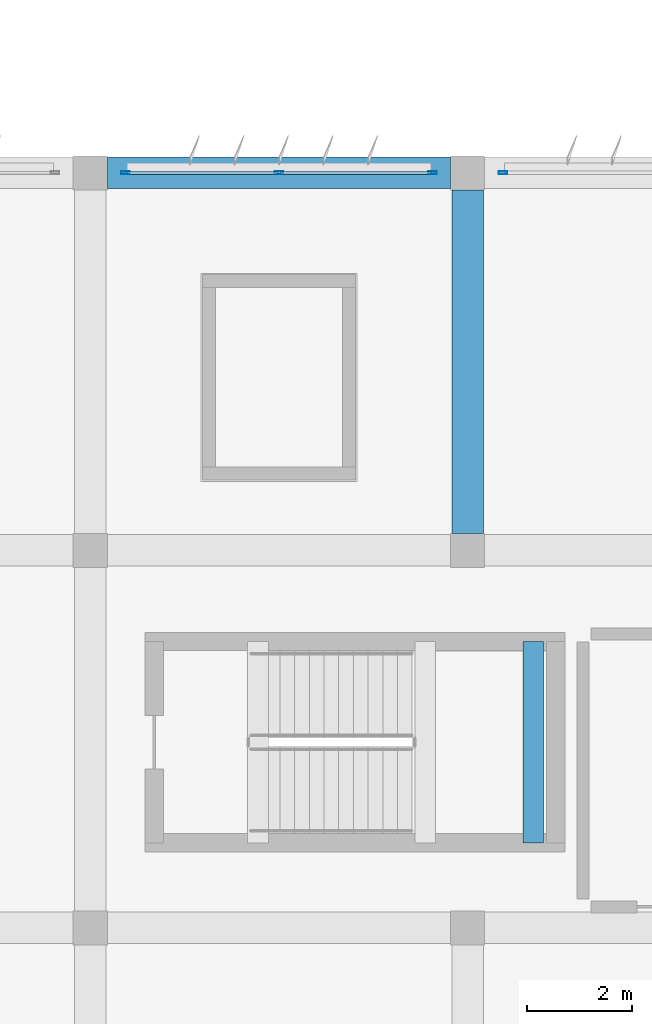
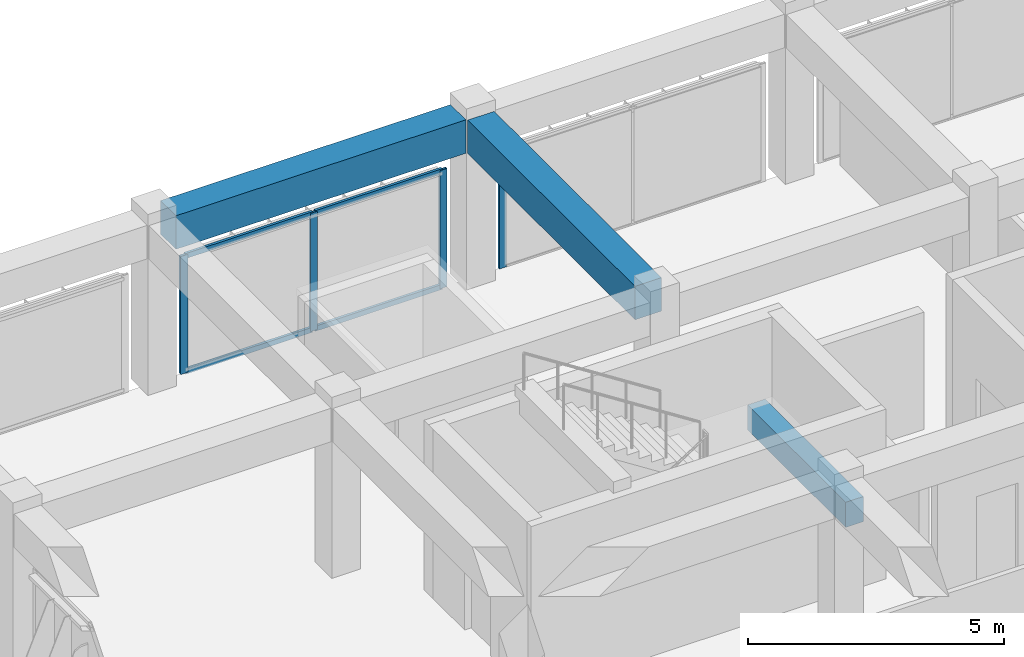
# One storey, part 13 of 53: 8 members, 3 beams, 2 elements without a shape of their own.
"""IFC4 building model written with IfcOpenShell, lengths in metres."""

from ifc_helpers import new_model, si_unit, direction, frame, origin, origin_2d, place, context, subcontext, project, spatial, rectangle, hollow_rectangle, extrude, material, material_profile, profile_set, type_object, element, aggregate, save


model = new_model("IFC4")

# Units and contexts
model_context = context("Model", 3, precision=1e-05, world=origin(), true_north=direction((0.0, 1.0)))
body_context = subcontext(model_context, "Body", "Model", "MODEL_VIEW")
ifc_project = project(units=[si_unit("LENGTHUNIT", "METRE"), si_unit("AREAUNIT", "SQUARE_METRE"), si_unit("VOLUMEUNIT", "CUBIC_METRE"), si_unit("PLANEANGLEUNIT", "RADIAN"), si_unit("MASSUNIT", "GRAM", prefix="KILO")], contexts=[model_context])

# Site, building, storey
site_placement = place(None, origin())
site = spatial("IfcSite", under=ifc_project, at=site_placement, CompositionType="ELEMENT")
building_placement = place(site_placement, origin())
building = spatial("IfcBuilding", under=site, at=building_placement, Name="Kazehaya Institute of Natural Sciences", CompositionType="ELEMENT")
storey_placement = place(building_placement, frame((0.0, 0.0, 33.300048828125)))
storey = spatial("IfcBuildingStorey", under=building, at=storey_placement, Name="L07", CompositionType="ELEMENT", Elevation=33.300048828125)

# Beams
ifc_material_1 = material(Name="Concrete Fc36", Category="concrete")
ifc_material_profile_1 = material_profile(ifc_material_1, rectangle(XDim=0.39990234375, YDim=0.60009765625, at=origin_2d()), Name="RC-400x600")
ifc_profile_set_1 = profile_set([ifc_material_profile_1], Name="Concrete Fc36")
beam_type_1 = type_object("IfcBeamType", Name="BM-B-400x600", PredefinedType="BEAM", material=ifc_profile_set_1)
beam_1_placement = place(storey_placement, frame((70.25, 22.820068359375, 1.699951171875), z_axis=(0.0, 1.0, 0.0), x_axis=(-1.0, 0.0, 0.0)))
element("IfcBeam", 1, at=beam_1_placement, inside=storey, type_object=beam_type_1, Name="L07 ST-1 landing beam 2", PredefinedType="BEAM", context=body_context, shape_type="SweptSolid", body=[
    extrude(rectangle(XDim=0.39990234375, YDim=0.60009765625, at=origin_2d()), origin(), (0.0, 0.0, 1.0), 3.83984375),
])
ifc_material_profile_2 = material_profile(ifc_material_1, rectangle(XDim=0.60009765625, YDim=0.800048828125, at=origin_2d()), Name="RC-600x800")
ifc_profile_set_2 = profile_set([ifc_material_profile_2], Name="Concrete Fc36")
beam_type_2 = type_object("IfcBeamType", Name="BM-G-600x800", PredefinedType="BEAM", material=ifc_profile_set_2)
beam_2_placement = place(storey_placement, frame((62.125, 35.60009765625, 3.64990234375), z_axis=(1.0, 0.0, 0.0), x_axis=(0.0, 1.0, 0.0)))
element("IfcBeam", 2, at=beam_2_placement, inside=storey, type_object=beam_type_2, Name="L07 primary X girder BMX-L07-618-356", PredefinedType="BEAM", context=body_context, shape_type="SweptSolid", body=[
    extrude(rectangle(XDim=0.60009765625, YDim=0.800048828125, at=origin_2d()), origin(), (0.0, 0.0, 1.0), 6.550048828125),
])
beam_3_placement = place(storey_placement, frame((69.0, 28.72509765625, 3.64990234375), z_axis=(0.0, 1.0, 0.0), x_axis=(-1.0, 0.0, 0.0)))
element("IfcBeam", 3, at=beam_3_placement, inside=storey, type_object=beam_type_2, Name="L07 primary Y girder BMY-L07-690-284", PredefinedType="BEAM", context=body_context, shape_type="SweptSolid", body=[
    extrude(rectangle(XDim=0.60009765625, YDim=0.800048828125, at=origin_2d()), origin(), (0.0, 0.0, 1.0), 6.5498046875),
])

# Curtain wall, members
ifc_material_2 = material(Name="Aluminium alloy A6063S-T5", Category="aluminium")
curtain_wall_type = type_object("IfcCurtainWallType", Name="CW-SYS-05", PredefinedType="NOTDEFINED", material=ifc_material_2)
curtain_wall_1_placement = place(storey_placement, origin())
curtain_wall_1 = element("IfcCurtainWall", 4, at=curtain_wall_1_placement, inside=storey, type_object=curtain_wall_type, Name="L07 unitised curtain wall CW-L07-158", PredefinedType="NOTDEFINED")
ifc_material_profile_3 = material_profile(ifc_material_2, hollow_rectangle(XDim=0.06005859375, YDim=0.159912109375, WallThickness=0.00390625, at=origin_2d()), Name="ALU-60x160x4")
ifc_profile_set_3 = profile_set([ifc_material_profile_3], Name="Aluminium alloy A6063S-T5")
member_type_1 = type_object("IfcMemberType", Name="CWM-160", PredefinedType="MULLION", material=ifc_profile_set_3)
member_1_placement = place(storey_placement, frame((62.469970703125, 35.60009765625, 0.0), z_axis=(0.0, 0.0, 1.0), x_axis=(0.0, 1.0, 0.0)))
member_1 = element("IfcMember", 5, at=member_1_placement, type_object=member_type_1, Name="CW05 mullion 1", PredefinedType="MULLION", context=body_context, shape_type="SweptSolid", body=[
    extrude(hollow_rectangle(XDim=0.06005859375, YDim=0.159912109375, WallThickness=0.00390625, at=origin_2d()), origin(), (0.0, 0.0, 1.0), 2.820068359375),
])
member_2_placement = place(storey_placement, frame((65.39990234375, 35.60009765625, 0.0), z_axis=(0.0, 0.0, 1.0), x_axis=(0.0, 1.0, 0.0)))
member_2 = element("IfcMember", 6, at=member_2_placement, type_object=member_type_1, Name="CW05 mullion 2", PredefinedType="MULLION", context=body_context, shape_type="SweptSolid", body=[
    extrude(hollow_rectangle(XDim=0.06005859375, YDim=0.159912109375, WallThickness=0.00390625, at=origin_2d()), origin(), (0.0, 0.0, 1.0), 2.820068359375),
])
member_3_placement = place(storey_placement, frame((68.330078125, 35.60009765625, 0.0), z_axis=(0.0, 0.0, 1.0), x_axis=(0.0, 1.0, 0.0)))
member_3 = element("IfcMember", 7, at=member_3_placement, type_object=member_type_1, Name="CW05 mullion 3", PredefinedType="MULLION", context=body_context, shape_type="SweptSolid", body=[
    extrude(hollow_rectangle(XDim=0.06005859375, YDim=0.159912109375, WallThickness=0.00390625, at=origin_2d()), origin(), (0.0, 0.0, 1.0), 2.820068359375),
])

# Curtain wall, member
curtain_wall_2_placement = place(storey_placement, origin())
curtain_wall_2 = element("IfcCurtainWall", 8, at=curtain_wall_2_placement, inside=storey, type_object=curtain_wall_type, Name="L07 unitised curtain wall CW-L07-159", PredefinedType="NOTDEFINED")
member_4_placement = place(storey_placement, frame((69.669921875, 35.60009765625, 0.0), z_axis=(0.0, 0.0, 1.0), x_axis=(0.0, 1.0, 0.0)))
member_4 = element("IfcMember", 9, at=member_4_placement, type_object=member_type_1, Name="CW05 mullion 1", PredefinedType="MULLION", context=body_context, shape_type="SweptSolid", body=[
    extrude(hollow_rectangle(XDim=0.06005859375, YDim=0.159912109375, WallThickness=0.00390625, at=origin_2d()), origin(), (0.0, 0.0, 1.0), 2.820068359375),
])
aggregate(curtain_wall_2, [member_4])

# Member
ifc_material_profile_4 = material_profile(ifc_material_2, hollow_rectangle(XDim=0.06005859375, YDim=0.1201171875, WallThickness=0.00341796875, at=origin_2d()), Name="ALU-60x120x3.5")
ifc_profile_set_4 = profile_set([ifc_material_profile_4], Name="Aluminium alloy A6063S-T5")
member_type_2 = type_object("IfcMemberType", Name="CWT-120", PredefinedType="USERDEFINED", material=ifc_profile_set_4)
member_5_placement = place(storey_placement, frame((62.5, 35.60009765625, 0.030029296875), z_axis=(1.0, 0.0, 0.0), x_axis=(0.0, 1.0, 0.0)))
member_5 = element("IfcMember", 10, at=member_5_placement, type_object=member_type_2, Name="CW05 transom 1.1", ObjectType="TRANSOM", PredefinedType="USERDEFINED", context=body_context, shape_type="SweptSolid", body=[
    extrude(hollow_rectangle(XDim=0.06005859375, YDim=0.1201171875, WallThickness=0.00341796875, at=origin_2d()), origin(), (0.0, 0.0, 1.0), 2.8701171875),
])

member_6_placement = place(storey_placement, frame((62.5, 35.60009765625, 2.7900390625), z_axis=(1.0, 0.0, 0.0), x_axis=(0.0, 1.0, 0.0)))
member_6 = element("IfcMember", 11, at=member_6_placement, type_object=member_type_2, Name="CW05 transom 1.2", ObjectType="TRANSOM", PredefinedType="USERDEFINED", context=body_context, shape_type="SweptSolid", body=[
    extrude(hollow_rectangle(XDim=0.06005859375, YDim=0.1201171875, WallThickness=0.00341796875, at=origin_2d()), origin(), (0.0, 0.0, 1.0), 2.8701171875),
])

member_7_placement = place(storey_placement, frame((65.429931640625, 35.60009765625, 0.030029296875), z_axis=(1.0, 0.0, 0.0), x_axis=(0.0, 1.0, 0.0)))
member_7 = element("IfcMember", 12, at=member_7_placement, type_object=member_type_2, Name="CW05 transom 2.1", ObjectType="TRANSOM", PredefinedType="USERDEFINED", context=body_context, shape_type="SweptSolid", body=[
    extrude(hollow_rectangle(XDim=0.06005859375, YDim=0.1201171875, WallThickness=0.00341796875, at=origin_2d()), origin(), (0.0, 0.0, 1.0), 2.8701171875),
])

member_8_placement = place(storey_placement, frame((65.429931640625, 35.60009765625, 2.7900390625), z_axis=(1.0, 0.0, 0.0), x_axis=(0.0, 1.0, 0.0)))
member_8 = element("IfcMember", 13, at=member_8_placement, type_object=member_type_2, Name="CW05 transom 2.2", ObjectType="TRANSOM", PredefinedType="USERDEFINED", context=body_context, shape_type="SweptSolid", body=[
    extrude(hollow_rectangle(XDim=0.06005859375, YDim=0.1201171875, WallThickness=0.00341796875, at=origin_2d()), origin(), (0.0, 0.0, 1.0), 2.8701171875),
])

aggregate(curtain_wall_1, [member_1, member_2, member_3, member_5, member_6, member_7, member_8])

save(model, "model.ifc")
